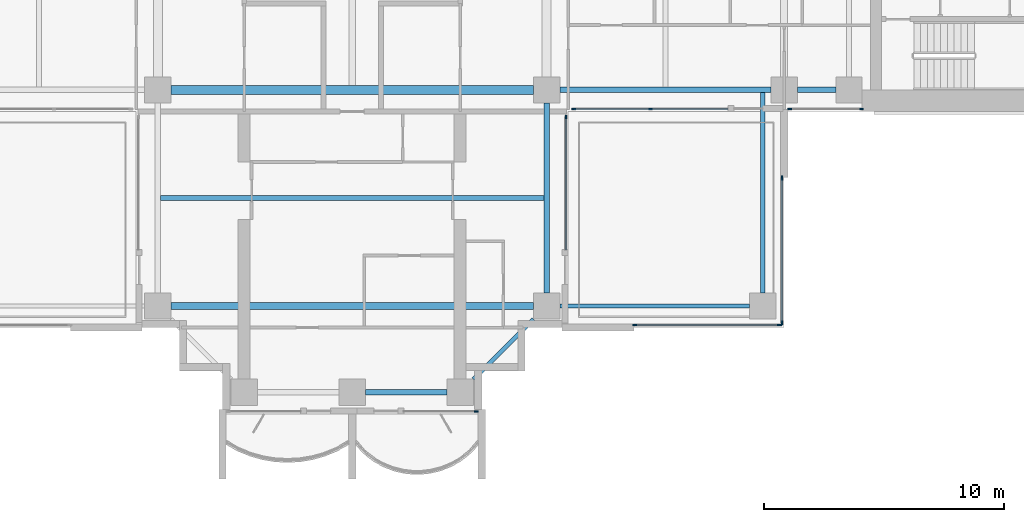
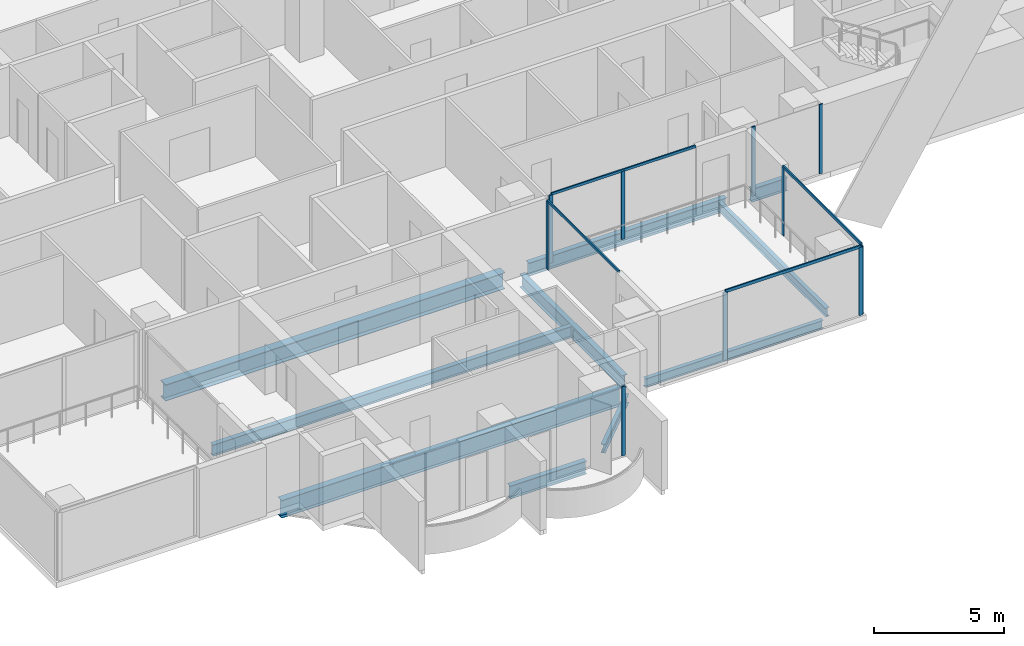
# One storey, part 3 of 19: 14 members, 10 beams, 6 elements without a shape of their own.
"""IFC4 building model written with IfcOpenShell, lengths in metres."""

from ifc_helpers import new_model, si_unit, direction, frame, origin, origin_2d, place, context, subcontext, project, spatial, rectangle, i_section, extrude, material, material_profile, profile_set, type_object, element, aggregate, save


model = new_model("IFC4")

# Units and contexts
model_context = context("Model", 3, precision=1e-05, world=origin(), true_north=direction((0.0, 1.0)))
body_context = subcontext(model_context, "Body", "Model", "MODEL_VIEW")
ifc_project = project(units=[si_unit("LENGTHUNIT", "METRE"), si_unit("AREAUNIT", "SQUARE_METRE"), si_unit("VOLUMEUNIT", "CUBIC_METRE"), si_unit("PLANEANGLEUNIT", "RADIAN"), si_unit("MASSUNIT", "GRAM", prefix="KILO")], contexts=[model_context])

# Site, building, storey
site_placement = place(None, origin())
site = spatial("IfcSite", under=ifc_project, at=site_placement, CompositionType="ELEMENT")
building_placement = place(site_placement, origin())
building = spatial("IfcBuilding", under=site, at=building_placement, Name="Perihelion Cross Residences", CompositionType="ELEMENT")
storey_placement = place(building_placement, frame((0.0, 0.0, 105.89990234375)))
storey = spatial("IfcBuildingStorey", under=building, at=storey_placement, Name="L24", CompositionType="ELEMENT", Elevation=105.89990234375)

# Curtain wall, member
ifc_material_1 = material(Name="Bronze anodised aluminium, tinted glazing", Category="aluminium")
curtain_wall_type_1 = type_object("IfcCurtainWallType", Name="CW1", PredefinedType="NOTDEFINED", material=ifc_material_1)
curtain_wall_1_placement = place(storey_placement, origin())
curtain_wall_1 = element("IfcCurtainWall", 1, at=curtain_wall_1_placement, inside=storey, type_object=curtain_wall_type_1, Name="Curtain wall CW1 L24 south tip south bay 2", PredefinedType="NOTDEFINED")
ifc_material_2 = material(Name="Bronze anodised aluminium", Category="aluminium")
ifc_material_profile_1 = material_profile(ifc_material_2, rectangle(XDim=0.06005859375, YDim=0.159912109375, at=origin_2d()), Name="CW1 mullion")
ifc_profile_set_1 = profile_set([ifc_material_profile_1], Name="Bronze anodised aluminium")
member_type_1 = type_object("IfcMemberType", Name="CW1 mullion", PredefinedType="MULLION", material=ifc_profile_set_1)
member_1_placement = place(storey_placement, frame((5.169921875, -21.5, 0.0), z_axis=(0.0, 0.0, 1.0), x_axis=(0.0, 1.0, 0.0)))
member_1 = element("IfcMember", 2, at=member_1_placement, type_object=member_type_1, Name="CW1 mullion 2", PredefinedType="MULLION", context=body_context, shape_type="SweptSolid", body=[
    extrude(rectangle(XDim=0.06005859375, YDim=0.159912109375, at=origin_2d()), origin(), (0.0, 0.0, 1.0), 3.25),
])
aggregate(curtain_wall_1, [member_1])

curtain_wall_2_placement = place(storey_placement, origin())
curtain_wall_2 = element("IfcCurtainWall", 3, at=curtain_wall_2_placement, inside=storey, type_object=curtain_wall_type_1, Name="Curtain wall CW1 L24 south side east bay 1", PredefinedType="NOTDEFINED")
member_2_placement = place(storey_placement, frame((8.89990234375, -9.22998046875, 0.0), z_axis=(0.0, 0.0, 1.0), x_axis=(-1.0, 0.0, 0.0)))
member_2 = element("IfcMember", 4, at=member_2_placement, type_object=member_type_1, Name="CW1 mullion 2", PredefinedType="MULLION", context=body_context, shape_type="SweptSolid", body=[
    extrude(rectangle(XDim=0.06005859375, YDim=0.159912109375, at=origin_2d()), origin(), (0.0, 0.0, 1.0), 3.190185546875),
])

# Curtain wall, members
curtain_wall_3_placement = place(storey_placement, origin())
curtain_wall_3 = element("IfcCurtainWall", 5, at=curtain_wall_3_placement, inside=storey, type_object=curtain_wall_type_1, Name="Curtain wall CW1 L24 east side south bay 1", PredefinedType="NOTDEFINED")
member_3_placement = place(storey_placement, frame((9.22998046875, -8.89990234375, 0.0), z_axis=(0.0, 0.0, 1.0), x_axis=(0.0, 1.0, 0.0)))
member_3 = element("IfcMember", 6, at=member_3_placement, type_object=member_type_1, Name="CW1 mullion 1", PredefinedType="MULLION", context=body_context, shape_type="SweptSolid", body=[
    extrude(rectangle(XDim=0.06005859375, YDim=0.159912109375, at=origin_2d()), origin(), (0.0, 0.0, 1.0), 3.190185546875),
])
member_4_placement = place(storey_placement, frame((12.425048828125, -8.89990234375, 0.0), z_axis=(0.0, 0.0, 1.0), x_axis=(0.0, 1.0, 0.0)))
member_4 = element("IfcMember", 7, at=member_4_placement, type_object=member_type_1, Name="CW1 mullion 2", PredefinedType="MULLION", context=body_context, shape_type="SweptSolid", body=[
    extrude(rectangle(XDim=0.06005859375, YDim=0.159912109375, at=origin_2d()), origin(), (0.0, 0.0, 1.0), 3.190185546875),
])

curtain_wall_4_placement = place(storey_placement, origin())
curtain_wall_4 = element("IfcCurtainWall", 8, at=curtain_wall_4_placement, inside=storey, type_object=curtain_wall_type_1, Name="Curtain wall CW1 L24 east side south bay 2", PredefinedType="NOTDEFINED")
member_5_placement = place(storey_placement, frame((18.22998046875, -8.89990234375, 0.0), z_axis=(0.0, 0.0, 1.0), x_axis=(0.0, 1.0, 0.0)))
member_5 = element("IfcMember", 9, at=member_5_placement, type_object=member_type_1, Name="CW1 mullion 1", PredefinedType="MULLION", context=body_context, shape_type="SweptSolid", body=[
    extrude(rectangle(XDim=0.06005859375, YDim=0.159912109375, at=origin_2d()), origin(), (0.0, 0.0, 1.0), 3.25),
])
member_6_placement = place(storey_placement, frame((21.219970703125, -8.89990234375, 0.0), z_axis=(0.0, 0.0, 1.0), x_axis=(0.0, 1.0, 0.0)))
member_6 = element("IfcMember", 10, at=member_6_placement, type_object=member_type_1, Name="CW1 mullion 2", PredefinedType="MULLION", context=body_context, shape_type="SweptSolid", body=[
    extrude(rectangle(XDim=0.06005859375, YDim=0.159912109375, at=origin_2d()), origin(), (0.0, 0.0, 1.0), 3.25),
])
aggregate(curtain_wall_4, [member_5, member_6])

# Member
ifc_material_3 = material(Name="Bronze anodised aluminium", Category="aluminium")
ifc_material_profile_2 = material_profile(ifc_material_3, rectangle(XDim=0.06005859375, YDim=0.1201171875, at=origin_2d()), Name="CW1 transom")
ifc_profile_set_2 = profile_set([ifc_material_profile_2], Name="Bronze anodised aluminium")
member_type_2 = type_object("IfcMemberType", Name="CW1 transom", PredefinedType="USERDEFINED", material=ifc_profile_set_2)
member_7_placement = place(storey_placement, frame((8.89990234375, -14.75, 3.22021484375), z_axis=(0.0, 1.0, 0.0), x_axis=(-1.0, 0.0, 0.0)))
member_7 = element("IfcMember", 11, at=member_7_placement, type_object=member_type_2, Name="CW1 head transom", ObjectType="TRANSOM", PredefinedType="USERDEFINED", context=body_context, shape_type="SweptSolid", body=[
    extrude(rectangle(XDim=0.06005859375, YDim=0.1201171875, at=origin_2d()), origin(), (0.0, 0.0, 1.0), 5.52001953125),
])

aggregate(curtain_wall_2, [member_2, member_7])

member_8_placement = place(storey_placement, frame((9.22998046875, -8.89990234375, 3.22021484375), z_axis=(1.0, 0.0, 0.0), x_axis=(0.0, 1.0, 0.0)))
member_8 = element("IfcMember", 12, at=member_8_placement, type_object=member_type_2, Name="CW1 head transom", ObjectType="TRANSOM", PredefinedType="USERDEFINED", context=body_context, shape_type="SweptSolid", body=[
    extrude(rectangle(XDim=0.06005859375, YDim=0.1201171875, at=origin_2d()), origin(), (0.0, 0.0, 1.0), 6.419921875),
])

aggregate(curtain_wall_3, [member_3, member_4, member_8])

# Curtain wall, members
ifc_material_4 = material(Name="Bronze anodised aluminium, tinted glazing", Category="aluminium")
curtain_wall_type_2 = type_object("IfcCurtainWallType", Name="CW4", PredefinedType="NOTDEFINED", material=ifc_material_4)
curtain_wall_5_placement = place(storey_placement, origin())
curtain_wall_5 = element("IfcCurtainWall", 13, at=curtain_wall_5_placement, inside=storey, type_object=curtain_wall_type_2, Name="Curtain wall CW4 L24 pocket south-east 1 1", PredefinedType="NOTDEFINED")
ifc_material_5 = material(Name="Bronze anodised aluminium", Category="aluminium")
ifc_material_profile_3 = material_profile(ifc_material_5, rectangle(XDim=0.06005859375, YDim=0.179931640625, at=origin_2d()), Name="CW4 mullion")
ifc_profile_set_3 = profile_set([ifc_material_profile_3], Name="Bronze anodised aluminium")
member_type_3 = type_object("IfcMemberType", Name="CW4 mullion", PredefinedType="MULLION", material=ifc_profile_set_3)
member_9_placement = place(storey_placement, frame((17.89990234375, -11.77001953125, 0.0), z_axis=(0.0, 0.0, 1.0), x_axis=(1.0, 0.0, 0.0)))
member_9 = element("IfcMember", 14, at=member_9_placement, type_object=member_type_3, Name="CW4 mullion 1", PredefinedType="MULLION", context=body_context, shape_type="SweptSolid", body=[
    extrude(rectangle(XDim=0.06005859375, YDim=0.179931640625, at=origin_2d()), origin(), (0.0, 0.0, 1.0), 3.190185546875),
])
member_10_placement = place(storey_placement, frame((17.89990234375, -17.800048828125, 0.0), z_axis=(0.0, 0.0, 1.0), x_axis=(1.0, 0.0, 0.0)))
member_10 = element("IfcMember", 15, at=member_10_placement, type_object=member_type_3, Name="CW4 mullion 2", PredefinedType="MULLION", context=body_context, shape_type="SweptSolid", body=[
    extrude(rectangle(XDim=0.06005859375, YDim=0.179931640625, at=origin_2d()), origin(), (0.0, 0.0, 1.0), 3.190185546875),
])

curtain_wall_6_placement = place(storey_placement, origin())
curtain_wall_6 = element("IfcCurtainWall", 16, at=curtain_wall_6_placement, inside=storey, type_object=curtain_wall_type_2, Name="Curtain wall CW4 L24 pocket south-east 1 2", PredefinedType="NOTDEFINED")
member_11_placement = place(storey_placement, frame((17.800048828125, -17.89990234375, 0.0), z_axis=(0.0, 0.0, 1.0), x_axis=(0.0, -1.0, 0.0)))
member_11 = element("IfcMember", 17, at=member_11_placement, type_object=member_type_3, Name="CW4 mullion 1", PredefinedType="MULLION", context=body_context, shape_type="SweptSolid", body=[
    extrude(rectangle(XDim=0.06005859375, YDim=0.179931640625, at=origin_2d()), origin(), (0.0, 0.0, 1.0), 3.190185546875),
])
member_12_placement = place(storey_placement, frame((11.77001953125, -17.89990234375, 0.0), z_axis=(0.0, 0.0, 1.0), x_axis=(0.0, -1.0, 0.0)))
member_12 = element("IfcMember", 18, at=member_12_placement, type_object=member_type_3, Name="CW4 mullion 2", PredefinedType="MULLION", context=body_context, shape_type="SweptSolid", body=[
    extrude(rectangle(XDim=0.06005859375, YDim=0.179931640625, at=origin_2d()), origin(), (0.0, 0.0, 1.0), 3.190185546875),
])

# Member
ifc_material_6 = material(Name="Bronze anodised aluminium", Category="aluminium")
ifc_material_profile_4 = material_profile(ifc_material_6, rectangle(XDim=0.06005859375, YDim=0.139892578125, at=origin_2d()), Name="CW4 transom")
ifc_profile_set_4 = profile_set([ifc_material_profile_4], Name="Bronze anodised aluminium")
member_type_4 = type_object("IfcMemberType", Name="CW4 transom", PredefinedType="USERDEFINED", material=ifc_profile_set_4)
member_13_placement = place(storey_placement, frame((17.89990234375, -11.77001953125, 3.22021484375), z_axis=(0.0, -1.0, 0.0), x_axis=(1.0, 0.0, 0.0)))
member_13 = element("IfcMember", 19, at=member_13_placement, type_object=member_type_4, Name="CW4 head transom", ObjectType="TRANSOM", PredefinedType="USERDEFINED", context=body_context, shape_type="SweptSolid", body=[
    extrude(rectangle(XDim=0.06005859375, YDim=0.139892578125, at=origin_2d()), origin(), (0.0, 0.0, 1.0), 6.030029296875),
])

aggregate(curtain_wall_5, [member_9, member_10, member_13])

member_14_placement = place(storey_placement, frame((17.800048828125, -17.89990234375, 3.22021484375), z_axis=(-1.0, 0.0, 0.0), x_axis=(0.0, -1.0, 0.0)))
member_14 = element("IfcMember", 20, at=member_14_placement, type_object=member_type_4, Name="CW4 head transom", ObjectType="TRANSOM", PredefinedType="USERDEFINED", context=body_context, shape_type="SweptSolid", body=[
    extrude(rectangle(XDim=0.06005859375, YDim=0.139892578125, at=origin_2d()), origin(), (0.0, 0.0, 1.0), 6.030029296875),
])

aggregate(curtain_wall_6, [member_11, member_12, member_14])

# Beams
ifc_material_7 = material(Name="Steel S355", Category="steel")
ifc_material_profile_5 = material_profile(ifc_material_7, i_section(OverallWidth=0.177978515625, OverallDepth=0.406005859375, WebThickness=0.0078125, FlangeThickness=0.0126953125, at=origin_2d()), Name="W410x60")
ifc_profile_set_5 = profile_set([ifc_material_profile_5], Name="Steel S355")
beam_type_1 = type_object("IfcBeamType", Name="Core edge beam W410x60", PredefinedType="BEAM", material=ifc_profile_set_5)
beam_1_placement = place(storey_placement, frame((17.10009765625, -8.214599609375, -0.452880859375), z_axis=(0.0, -1.0, 0.0), x_axis=(1.0, 0.0, 0.0)))
element("IfcBeam", 21, at=beam_1_placement, inside=storey, type_object=beam_type_1, Name="Core edge beam TB2 L24 corner no. 5", PredefinedType="BEAM", context=body_context, shape_type="SweptSolid", body=[
    extrude(i_section(OverallWidth=0.177978515625, OverallDepth=0.406005859375, WebThickness=0.0078125, FlangeThickness=0.0126953125, at=origin_2d()), origin(), (0.0, 0.0, 1.0), 8.33544921875),
])
beam_2_placement = place(storey_placement, frame((8.64990234375, -17.10009765625, -0.452880859375), z_axis=(1.0, 0.0, 0.0), x_axis=(0.0, 1.0, 0.0)))
element("IfcBeam", 22, at=beam_2_placement, inside=storey, type_object=beam_type_1, Name="Core edge beam TB2 L24 corner no. 6", PredefinedType="BEAM", context=body_context, shape_type="SweptSolid", body=[
    extrude(i_section(OverallWidth=0.177978515625, OverallDepth=0.406005859375, WebThickness=0.0078125, FlangeThickness=0.0126953125, at=origin_2d()), origin(), (0.0, 0.0, 1.0), 7.900146484375),
])
ifc_material_8 = material(Name="Steel S355", Category="steel")
ifc_material_profile_6 = material_profile(ifc_material_8, i_section(OverallWidth=0.22900390625, OverallDepth=0.612060546875, WebThickness=0.011962890625, FlangeThickness=0.01953125, at=origin_2d()), Name="W610x125")
ifc_profile_set_6 = profile_set([ifc_material_profile_6], Name="Steel S355")
beam_type_2 = type_object("IfcBeamType", Name="Edge beam W610x125", PredefinedType="SPANDREL", material=ifc_profile_set_6)
beam_3_placement = place(storey_placement, frame((0.550048828125, -20.699951171875, -0.555908203125), z_axis=(1.0, 0.0, 0.0), x_axis=(0.0, 1.0, 0.0)))
element("IfcBeam", 23, at=beam_3_placement, inside=storey, type_object=beam_type_2, Name="Edge beam SB3 L24 no. 9", PredefinedType="SPANDREL", context=body_context, shape_type="SweptSolid", body=[
    extrude(i_section(OverallWidth=0.22900390625, OverallDepth=0.612060546875, WebThickness=0.011962890625, FlangeThickness=0.01953125, at=origin_2d()), origin(), (0.0, 0.0, 1.0), 3.39990234375),
])
beam_4_placement = place(storey_placement, frame((8.10009765625, -16.550048828125, -0.555908203125), z_axis=(0.0, 1.0, 0.0), x_axis=(-1.0, 0.0, 0.0)))
element("IfcBeam", 24, at=beam_4_placement, inside=storey, type_object=beam_type_2, Name="Edge beam SB3 L24 no. 15", PredefinedType="SPANDREL", context=body_context, shape_type="SweptSolid", body=[
    extrude(i_section(OverallWidth=0.22900390625, OverallDepth=0.612060546875, WebThickness=0.011962890625, FlangeThickness=0.01953125, at=origin_2d()), origin(), (0.0, 0.0, 1.0), 7.900146484375),
])
beam_5_placement = place(storey_placement, frame((8.64990234375, -8.10009765625, -0.555908203125), z_axis=(1.0, 0.0, 0.0), x_axis=(0.0, 1.0, 0.0)))
element("IfcBeam", 25, at=beam_5_placement, inside=storey, type_object=beam_type_2, Name="Edge beam SB3 L24 no. 16", PredefinedType="SPANDREL", context=body_context, shape_type="SweptSolid", body=[
    extrude(i_section(OverallWidth=0.22900390625, OverallDepth=0.612060546875, WebThickness=0.011962890625, FlangeThickness=0.01953125, at=origin_2d()), origin(), (0.0, 0.0, 1.0), 8.800048828125),
])
beam_6_placement = place(storey_placement, frame((18.550048828125, -8.10009765625, -0.555908203125), z_axis=(1.0, 0.0, 0.0), x_axis=(0.0, 1.0, 0.0)))
element("IfcBeam", 26, at=beam_6_placement, inside=storey, type_object=beam_type_2, Name="Edge beam SB3 L24 no. 11", PredefinedType="SPANDREL", context=body_context, shape_type="SweptSolid", body=[
    extrude(i_section(OverallWidth=0.22900390625, OverallDepth=0.612060546875, WebThickness=0.011962890625, FlangeThickness=0.01953125, at=origin_2d()), origin(), (0.0, 0.0, 1.0), 1.599853515625),
])
ifc_material_9 = material(Name="Steel S355", Category="steel")
ifc_material_profile_7 = material_profile(ifc_material_9, i_section(OverallWidth=0.2919921875, OverallDepth=0.8359375, WebThickness=0.013916015625, FlangeThickness=0.018798828125, at=origin_2d()), Name="W840x176")
ifc_profile_set_7 = profile_set([ifc_material_profile_7], Name="Steel S355")
beam_type_3 = type_object("IfcBeamType", Name="Floor girder W840x176", PredefinedType="BEAM", material=ifc_profile_set_7)
beam_7_placement = place(storey_placement, frame((-7.550048828125, -17.10009765625, -0.66796875), z_axis=(1.0, 0.0, 0.0), x_axis=(0.0, 1.0, 0.0)))
element("IfcBeam", 27, at=beam_7_placement, inside=storey, type_object=beam_type_3, Name="Girder G3 L24 no. 3", PredefinedType="BEAM", context=body_context, shape_type="SweptSolid", body=[
    extrude(i_section(OverallWidth=0.2919921875, OverallDepth=0.8359375, WebThickness=0.013916015625, FlangeThickness=0.018798828125, at=origin_2d()), origin(), (0.0, 0.0, 1.0), 15.10009765625),
])
ifc_material_10 = material(Name="Steel S355", Category="steel")
ifc_material_profile_8 = material_profile(ifc_material_10, i_section(OverallWidth=0.208984375, OverallDepth=0.532958984375, WebThickness=0.01025390625, FlangeThickness=0.015625, at=origin_2d()), Name="W530x92")
ifc_profile_set_8 = profile_set([ifc_material_profile_8], Name="Steel S355")
beam_type_4 = type_object("IfcBeamType", Name="Floor joist W530x92", PredefinedType="JOIST", material=ifc_profile_set_8)
beam_8_placement = place(storey_placement, frame((-7.985595703125, -12.60009765625, -0.516357421875), z_axis=(1.0, 0.0, 0.0), x_axis=(0.0, 1.0, 0.0)))
element("IfcBeam", 28, at=beam_8_placement, inside=storey, type_object=beam_type_4, Name="Joist J4 L24 no. 3", PredefinedType="JOIST", context=body_context, shape_type="SweptSolid", body=[
    extrude(i_section(OverallWidth=0.208984375, OverallDepth=0.532958984375, WebThickness=0.01025390625, FlangeThickness=0.015625, at=origin_2d()), origin(), (0.0, 0.0, 1.0), 15.97119140625),
])
ifc_material_11 = material(Name="Steel S355", Category="steel")
ifc_material_profile_9 = material_profile(ifc_material_11, i_section(OverallWidth=0.381103515625, OverallDepth=0.77197265625, WebThickness=0.0166015625, FlangeThickness=0.027099609375, at=origin_2d()), Name="W760x257")
ifc_profile_set_9 = profile_set([ifc_material_profile_9], Name="Steel S355")
beam_type_5 = type_object("IfcBeamType", Name="Hub ring girder W760x257", PredefinedType="BEAM", material=ifc_profile_set_9)
beam_9_placement = place(storey_placement, frame((-7.550048828125, -8.10009765625, -0.635986328125), z_axis=(1.0, 0.0, 0.0), x_axis=(0.0, 1.0, 0.0)))
element("IfcBeam", 29, at=beam_9_placement, inside=storey, type_object=beam_type_5, Name="Hub ring girder RG3 L24 no. 1", PredefinedType="BEAM", context=body_context, shape_type="SweptSolid", body=[
    extrude(i_section(OverallWidth=0.381103515625, OverallDepth=0.77197265625, WebThickness=0.0166015625, FlangeThickness=0.027099609375, at=origin_2d()), origin(), (0.0, 0.0, 1.0), 15.10009765625),
])
ifc_material_12 = material(Name="Steel S355", Category="steel")
ifc_material_profile_10 = material_profile(ifc_material_12, i_section(OverallWidth=0.180908203125, OverallDepth=0.4169921875, WebThickness=0.010986328125, FlangeThickness=0.018310546875, at=origin_2d()), Name="W410x85")
ifc_profile_set_10 = profile_set([ifc_material_profile_10], Name="Steel S355")
beam_type_6 = type_object("IfcBeamType", Name="Serration edge beam W410x85", PredefinedType="BEAM", material=ifc_profile_set_10)
beam_10_placement = place(storey_placement, frame((5.050048828125, -20.14990234375, -0.45849609375), z_axis=(0.707106781187, 0.707106781187, 0.0), x_axis=(-0.707106781187, 0.707106781187, 0.0)))
element("IfcBeam", 30, at=beam_10_placement, inside=storey, type_object=beam_type_6, Name="Serration edge beam EB3 L24 no. 3", PredefinedType="BEAM", context=body_context, shape_type="SweptSolid", body=[
    extrude(i_section(OverallWidth=0.180908203125, OverallDepth=0.4169921875, WebThickness=0.010986328125, FlangeThickness=0.018310546875, at=origin_2d()), origin(), (0.0, 0.0, 1.0), 3.53564453125),
])

save(model, "model.ifc")
